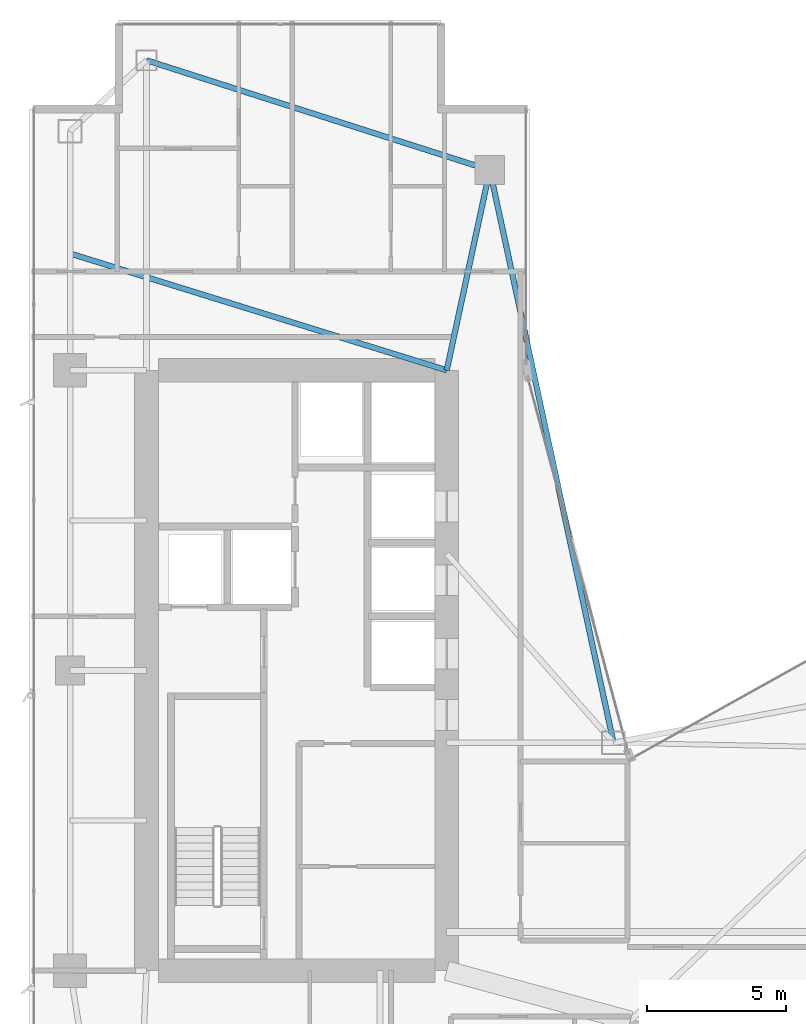
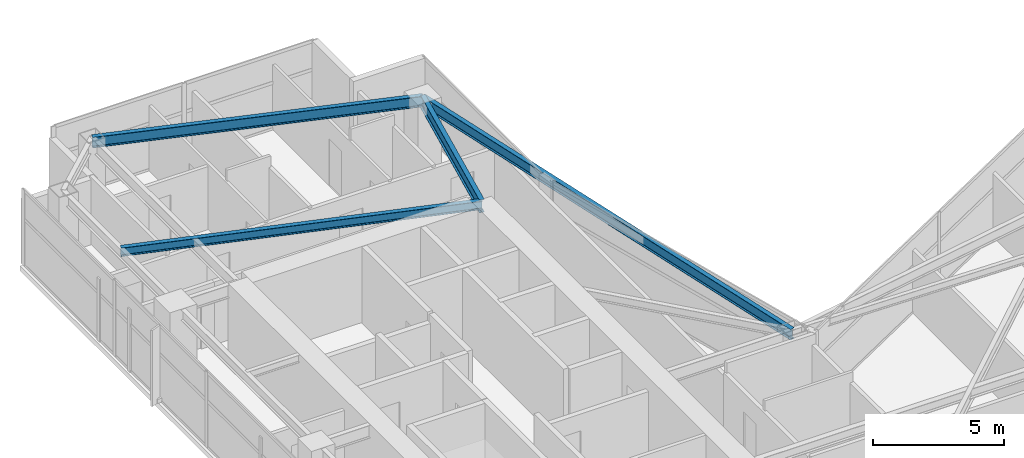
# One storey, part 17 of 29: 4 beams.
"""IFC4 building model written with IfcOpenShell, lengths in metres."""

from ifc_helpers import new_model, si_unit, direction, frame, origin, origin_2d, place, context, subcontext, project, spatial, i_section, extrude, material, material_profile, profile_set, type_object, element, save


model = new_model("IFC4")

# Units and contexts
model_context = context("Model", 3, precision=1e-05, world=origin(), true_north=direction((0.0, 1.0)))
body_context = subcontext(model_context, "Body", "Model", "MODEL_VIEW")
ifc_project = project(units=[si_unit("LENGTHUNIT", "METRE"), si_unit("AREAUNIT", "SQUARE_METRE"), si_unit("VOLUMEUNIT", "CUBIC_METRE"), si_unit("PLANEANGLEUNIT", "RADIAN"), si_unit("MASSUNIT", "GRAM", prefix="KILO")], contexts=[model_context])

# Site, building, storey
site_placement = place(None, origin())
site = spatial("IfcSite", under=ifc_project, at=site_placement, CompositionType="ELEMENT")
building_placement = place(site_placement, origin())
building = spatial("IfcBuilding", under=site, at=building_placement, Name="Calvorn Quay Hotel", CompositionType="ELEMENT")
storey_placement = place(building_placement, frame((0.0, 0.0, 175.10009765625)))
storey = spatial("IfcBuildingStorey", under=building, at=storey_placement, Name="L43", CompositionType="ELEMENT", Elevation=175.10009765625)

# Beams
ifc_material_1 = material(Name="Steel Q355B", Category="steel")
ifc_material_profile_1 = material_profile(ifc_material_1, i_section(OverallWidth=0.199951171875, OverallDepth=0.60009765625, WebThickness=0.010986328125, FlangeThickness=0.01708984375, FilletRadius=0.01806640625, at=origin_2d()), Name="HN600x200x11x17")
ifc_profile_set_1 = profile_set([ifc_material_profile_1], Name="Steel Q355B")
beam_type_1 = type_object("IfcBeamType", Name="BM-GIRD-TYP", PredefinedType="BEAM", material=ifc_profile_set_1)
beam_1_placement = place(storey_placement, frame((16.550048828125, 45.60009765625, 3.239990234375), z_axis=(-0.210457140491, -0.97760308511, 0.0), x_axis=(0.97760308511, -0.210457140491, 0.0)))
element("IfcBeam", 1, at=beam_1_placement, inside=storey, type_object=beam_type_1, Name="Beam BG-L43-W6", PredefinedType="BEAM", context=body_context, shape_type="SweptSolid", body=[
    extrude(i_section(OverallWidth=0.199951171875, OverallDepth=0.60009765625, WebThickness=0.010986328125, FlangeThickness=0.01708984375, FilletRadius=0.01806640625, at=origin_2d()), origin(), (0.0, 0.0, 1.0), 7.365234375),
])
ifc_material_2 = material(Name="Steel Q355B", Category="steel")
ifc_material_profile_2 = material_profile(ifc_material_2, i_section(OverallWidth=0.199951171875, OverallDepth=0.39990234375, WebThickness=0.008056640625, FlangeThickness=0.012939453125, FilletRadius=0.01611328125, at=origin_2d()), Name="HN400x200x8x13")
ifc_profile_set_2 = profile_set([ifc_material_profile_2], Name="Steel Q355B")
beam_type_2 = type_object("IfcBeamType", Name="BM-JOIST-TYP", PredefinedType="JOIST", material=ifc_profile_set_2)
beam_2_placement = place(storey_placement, frame((1.449951171875, 42.60009765625, 3.33984375), z_axis=(0.955163702122, -0.296078202759, 0.0), x_axis=(0.296078202759, 0.955163702122, 0.0)))
element("IfcBeam", 2, at=beam_2_placement, inside=storey, type_object=beam_type_2, Name="Beam BJ-L43-W2", PredefinedType="JOIST", context=body_context, shape_type="SweptSolid", body=[
    extrude(i_section(OverallWidth=0.199951171875, OverallDepth=0.39990234375, WebThickness=0.008056640625, FlangeThickness=0.012939453125, FilletRadius=0.01611328125, at=origin_2d()), origin(), (0.0, 0.0, 1.0), 14.18603515625),
])
ifc_material_3 = material(Name="Steel Q355B", Category="steel")
ifc_material_profile_3 = material_profile(ifc_material_3, i_section(OverallWidth=0.199951171875, OverallDepth=0.5, WebThickness=0.010009765625, FlangeThickness=0.01611328125, FilletRadius=0.01611328125, at=origin_2d()), Name="HN500x200x10x16")
ifc_profile_set_3 = profile_set([ifc_material_profile_3], Name="Steel Q355B")
beam_type_3 = type_object("IfcBeamType", Name="BM-SPANDREL-Z1", PredefinedType="SPANDREL", material=ifc_profile_set_3)
beam_3_placement = place(storey_placement, frame((4.199951171875, 49.550048828125, 3.289794921875), z_axis=(0.952470702374, -0.304630203885, 0.0), x_axis=(0.304630203885, 0.952470702374, 0.0)))
element("IfcBeam", 3, at=beam_3_placement, inside=storey, type_object=beam_type_3, Name="Beam BSP-L43-W6", PredefinedType="SPANDREL", context=body_context, shape_type="SweptSolid", body=[
    extrude(i_section(OverallWidth=0.199951171875, OverallDepth=0.5, WebThickness=0.010009765625, FlangeThickness=0.01611328125, FilletRadius=0.01611328125, at=origin_2d()), origin(), (0.0, 0.0, 1.0), 12.96630859375),
])
beam_4_placement = place(storey_placement, frame((16.550048828125, 45.60009765625, 3.289794921875), z_axis=(0.211145848376, -0.977454567084, 0.0), x_axis=(0.977454567084, 0.211145848376, 0.0)))
element("IfcBeam", 4, at=beam_4_placement, inside=storey, type_object=beam_type_3, Name="Beam BSP-L43-W7", PredefinedType="SPANDREL", context=body_context, shape_type="SweptSolid", body=[
    extrude(i_section(OverallWidth=0.199951171875, OverallDepth=0.5, WebThickness=0.010009765625, FlangeThickness=0.01611328125, FilletRadius=0.01611328125, at=origin_2d()), origin(), (0.0, 0.0, 1.0), 21.0751953125),
])

save(model, "model.ifc")
